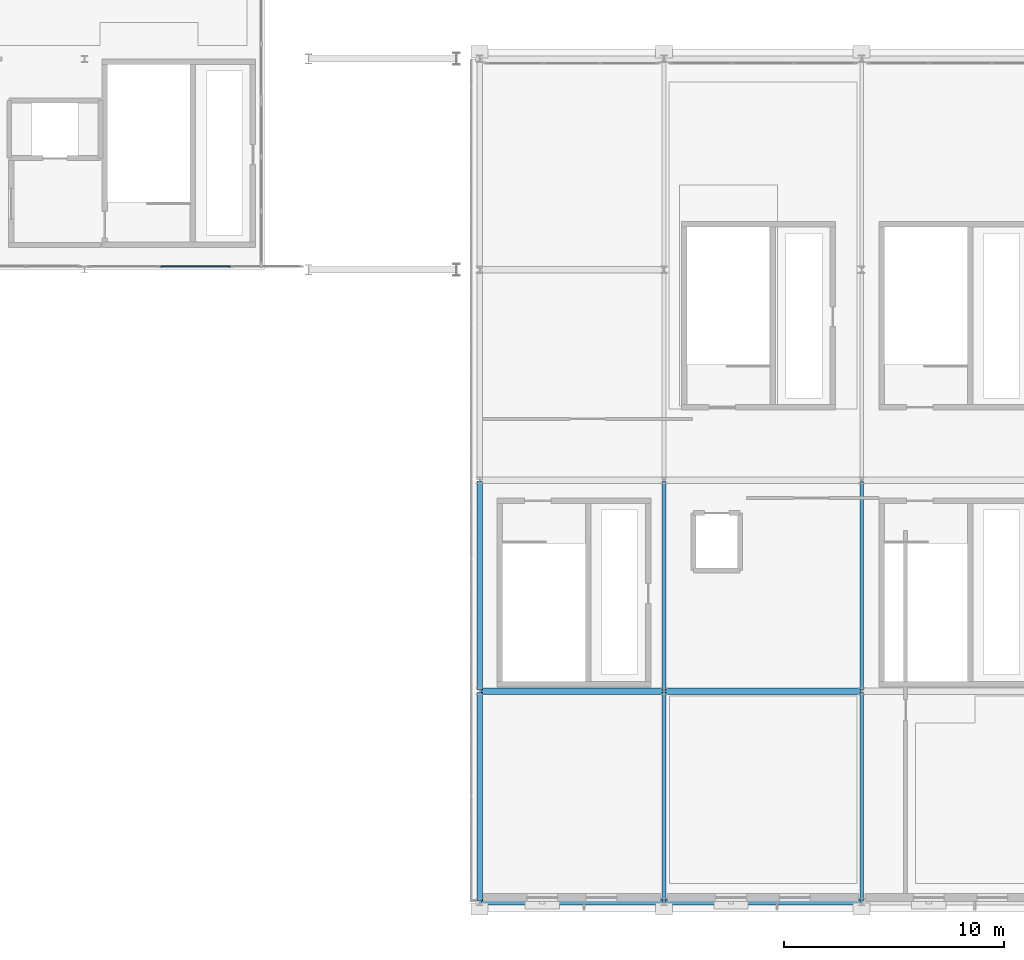
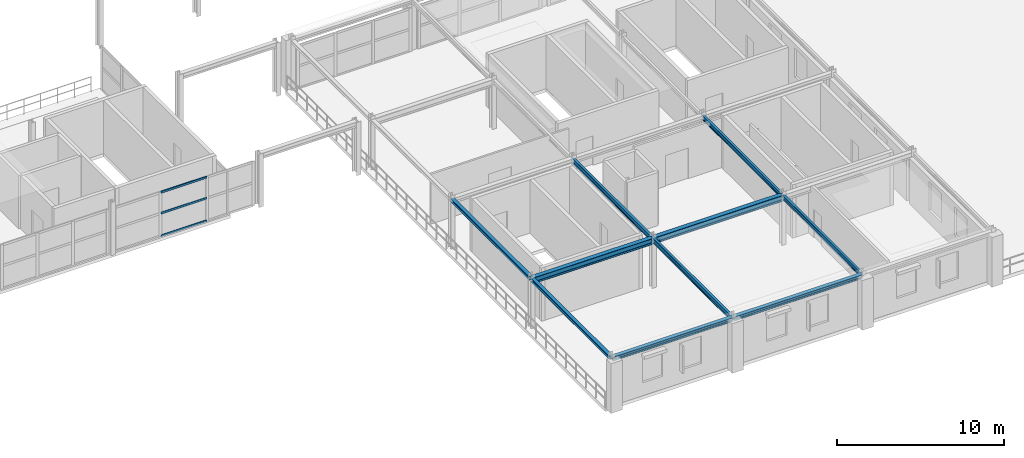
# One storey, part 15 of 52: 10 beams, 3 members, 1 element without a shape of its own.
"""IFC4 building model written with IfcOpenShell, lengths in metres."""

from ifc_helpers import new_model, si_unit, direction, frame, origin, origin_2d, place, context, subcontext, project, spatial, rectangle, i_section, extrude, material, layer, layer_set, material_profile, profile_set, type_object, element, aggregate, save


model = new_model("IFC4")

# Units and contexts
model_context = context("Model", 3, precision=1e-05, world=origin(), true_north=direction((0.0, 1.0)))
body_context = subcontext(model_context, "Body", "Model", "MODEL_VIEW")
ifc_project = project(units=[si_unit("LENGTHUNIT", "METRE"), si_unit("AREAUNIT", "SQUARE_METRE"), si_unit("VOLUMEUNIT", "CUBIC_METRE"), si_unit("PLANEANGLEUNIT", "RADIAN"), si_unit("MASSUNIT", "GRAM", prefix="KILO")], contexts=[model_context])

# Site, building, storey
site_placement = place(None, origin())
site = spatial("IfcSite", under=ifc_project, at=site_placement, CompositionType="ELEMENT")
building_placement = place(site_placement, origin())
building = spatial("IfcBuilding", under=site, at=building_placement, Name="Myrtia Square Station", CompositionType="ELEMENT")
storey_placement = place(building_placement, frame((0.0, 0.0, 15.0)))
storey = spatial("IfcBuildingStorey", under=building, at=storey_placement, Name="L03", CompositionType="ELEMENT", Elevation=15.0)

# Beams
ifc_material_1 = material(Name="Steel S355", Category="steel")
ifc_material_profile_1 = material_profile(ifc_material_1, i_section(OverallWidth=0.300048828125, OverallDepth=0.43994140625, WebThickness=0.011474609375, FlangeThickness=0.02099609375, FilletRadius=0.027099609375, at=origin_2d()), Name="HEA 450")
ifc_profile_set_1 = profile_set([ifc_material_profile_1], Name="Steel S355")
beam_type_1 = type_object("IfcBeamType", Name="BM-HEA450", PredefinedType="BEAM", material=ifc_profile_set_1)
beam_1_placement = place(storey_placement, frame((117.64990234375, 9.60009765625, 3.43505859375), z_axis=(1.0, 0.0, 0.0), x_axis=(0.0, 1.0, 0.0)))
element("IfcBeam", 1, at=beam_1_placement, inside=storey, type_object=beam_type_1, Name="Structural girder BMX-L03-0807", PredefinedType="BEAM", context=body_context, shape_type="SweptSolid", body=[
    extrude(i_section(OverallWidth=0.300048828125, OverallDepth=0.43994140625, WebThickness=0.011474609375, FlangeThickness=0.02099609375, FilletRadius=0.027099609375, at=origin_2d()), origin(), (0.0, 0.0, 1.0), 8.300048828125),
])
beam_2_placement = place(storey_placement, frame((126.050048828125, 9.60009765625, 3.43505859375), z_axis=(1.0, 0.0, 0.0), x_axis=(0.0, 1.0, 0.0)))
element("IfcBeam", 2, at=beam_2_placement, inside=storey, type_object=beam_type_1, Name="Structural girder BMX-L03-0808", PredefinedType="BEAM", context=body_context, shape_type="SweptSolid", body=[
    extrude(i_section(OverallWidth=0.300048828125, OverallDepth=0.43994140625, WebThickness=0.011474609375, FlangeThickness=0.02099609375, FilletRadius=0.027099609375, at=origin_2d()), origin(), (0.0, 0.0, 1.0), 8.89990234375),
])
ifc_material_profile_2 = material_profile(ifc_material_1, i_section(OverallWidth=0.159912109375, OverallDepth=0.330078125, WebThickness=0.007568359375, FlangeThickness=0.011474609375, FilletRadius=0.01806640625, at=origin_2d()), Name="IPE 330")
ifc_profile_set_2 = profile_set([ifc_material_profile_2], Name="Steel S355")
beam_type_2 = type_object("IfcBeamType", Name="BM-IPE330", PredefinedType="BEAM", material=ifc_profile_set_2)
for number, where, z_axis, x_axis, name in (
    (3, (135.0, 0.050048828125, 3.489990234375), (0.0, 1.0, 0.0), (-1.0, 0.0, 0.0), "Structural girder BMY-L03-0818"),
    (4, (135.0, 9.64990234375, 3.489990234375), (0.0, 1.0, 0.0), (-1.0, 0.0, 0.0), "Structural girder BMY-L03-0819"),
):
    element("IfcBeam", number, at=place(storey_placement, frame(where, z_axis=z_axis, x_axis=x_axis)), inside=storey, type_object=beam_type_2, Name=name, PredefinedType="BEAM", context=body_context, shape_type="SweptSolid", body=[
        extrude(i_section(OverallWidth=0.159912109375, OverallDepth=0.330078125, WebThickness=0.007568359375, FlangeThickness=0.011474609375, FilletRadius=0.01806640625, at=origin_2d()), origin(), (0.0, 0.0, 1.0), 9.5),
    ])
ifc_material_profile_3 = material_profile(ifc_material_1, i_section(OverallWidth=0.169921875, OverallDepth=0.360107421875, WebThickness=0.008056640625, FlangeThickness=0.0126953125, FilletRadius=0.01806640625, at=origin_2d()), Name="IPE 360")
ifc_profile_set_3 = profile_set([ifc_material_profile_3], Name="Steel S355")
beam_type_3 = type_object("IfcBeamType", Name="BM-IPE360", PredefinedType="BEAM", material=ifc_profile_set_3)
for number, where, z_axis, x_axis, name in (
    (5, (126.0, 0.050048828125, 3.47509765625), (0.0, 1.0, 0.0), (-1.0, 0.0, 0.0), "Structural girder BMY-L03-0814"),
    (6, (126.0, 9.64990234375, 3.47509765625), (0.0, 1.0, 0.0), (-1.0, 0.0, 0.0), "Structural girder BMY-L03-0815"),
):
    element("IfcBeam", number, at=place(storey_placement, frame(where, z_axis=z_axis, x_axis=x_axis)), inside=storey, type_object=beam_type_3, Name=name, PredefinedType="BEAM", context=body_context, shape_type="SweptSolid", body=[
        extrude(i_section(OverallWidth=0.169921875, OverallDepth=0.360107421875, WebThickness=0.008056640625, FlangeThickness=0.0126953125, FilletRadius=0.01806640625, at=origin_2d()), origin(), (0.0, 0.0, 1.0), 9.5),
    ])

# Curtain wall, members
ifc_material_2 = material(Name="Dark bronze anodised aluminium", Category="aluminium")
ifc_layer = layer(ifc_material_2, 0.159912109375, Name="Dark bronze anodised aluminium")
ifc_layer_set = layer_set([ifc_layer], Name="Dark bronze anodised aluminium")
curtain_wall_type = type_object("IfcCurtainWallType", Name="CW-TYPE-17-970x325", PredefinedType="USERDEFINED", material=ifc_layer_set)
curtain_wall_placement = place(storey_placement, origin())
curtain_wall = element("IfcCurtainWall", 7, at=curtain_wall_placement, inside=storey, type_object=curtain_wall_type, Name="Concourse curtain wall CW-L03-057", ObjectType="CONCOURSE CURTAIN WALL", PredefinedType="USERDEFINED")
ifc_material_profile_4 = material_profile(ifc_material_2, rectangle(XDim=0.06494140625, YDim=0.14990234375, at=origin_2d()), Name="ALU-T 65x150")
ifc_profile_set_4 = profile_set([ifc_material_profile_4], Name="Dark bronze anodised aluminium")
member_type = type_object("IfcMemberType", Name="CWT-65x150", PredefinedType="USERDEFINED", material=ifc_profile_set_4)
member_1_placement = place(storey_placement, frame((103.06591796875, 28.949951171875, 0.032470703125), z_axis=(1.0, 0.0, 0.0), x_axis=(0.0, 1.0, 0.0)))
member_1 = element("IfcMember", 8, at=member_1_placement, type_object=member_type, Name="CW-057 transom 2.1", ObjectType="TRANSOM", PredefinedType="USERDEFINED", context=body_context, shape_type="SweptSolid", body=[
    extrude(rectangle(XDim=0.06494140625, YDim=0.14990234375, at=origin_2d()), origin(), (0.0, 0.0, 1.0), 3.168212890625),
])
member_2_placement = place(storey_placement, frame((103.06591796875, 28.949951171875, 1.68994140625), z_axis=(1.0, 0.0, 0.0), x_axis=(0.0, 1.0, 0.0)))
member_2 = element("IfcMember", 9, at=member_2_placement, type_object=member_type, Name="CW-057 transom 2.2", ObjectType="TRANSOM", PredefinedType="USERDEFINED", context=body_context, shape_type="SweptSolid", body=[
    extrude(rectangle(XDim=0.06494140625, YDim=0.14990234375, at=origin_2d()), origin(), (0.0, 0.0, 1.0), 3.168212890625),
])
member_3_placement = place(storey_placement, frame((103.06591796875, 28.949951171875, 3.217529296875), z_axis=(1.0, 0.0, 0.0), x_axis=(0.0, 1.0, 0.0)))
member_3 = element("IfcMember", 10, at=member_3_placement, type_object=member_type, Name="CW-057 transom 2.3", ObjectType="TRANSOM", PredefinedType="USERDEFINED", context=body_context, shape_type="SweptSolid", body=[
    extrude(rectangle(XDim=0.06494140625, YDim=0.14990234375, at=origin_2d()), origin(), (0.0, 0.0, 1.0), 3.168212890625),
])
aggregate(curtain_wall, [member_1, member_2, member_3])

# Beams
ifc_material_profile_5 = material_profile(ifc_material_1, i_section(OverallWidth=0.239990234375, OverallDepth=0.239990234375, WebThickness=0.010009765625, FlangeThickness=0.01708984375, FilletRadius=0.02099609375, at=origin_2d()), Name="HEB 240")
ifc_profile_set_5 = profile_set([ifc_material_profile_5], Name="Steel S355")
beam_type_4 = type_object("IfcBeamType", Name="SPN-HEB240", PredefinedType="SPANDREL", material=ifc_profile_set_5)
for number, where, z_axis, x_axis, name in (
    (11, (117.60009765625, 0.050048828125, 3.534912109375), (0.0, 1.0, 0.0), (-1.0, 0.0, 0.0), "Structural girder SPNY-L03-0231"),
    (12, (117.60009765625, 9.64990234375, 3.534912109375), (0.0, 1.0, 0.0), (-1.0, 0.0, 0.0), "Structural girder SPNY-L03-0232"),
):
    element("IfcBeam", number, at=place(storey_placement, frame(where, z_axis=z_axis, x_axis=x_axis)), inside=storey, type_object=beam_type_4, Name=name, PredefinedType="SPANDREL", context=body_context, shape_type="SweptSolid", body=[
        extrude(i_section(OverallWidth=0.239990234375, OverallDepth=0.239990234375, WebThickness=0.010009765625, FlangeThickness=0.01708984375, FilletRadius=0.02099609375, at=origin_2d()), origin(), (0.0, 0.0, 1.0), 9.5),
    ])
ifc_material_profile_6 = material_profile(ifc_material_1, i_section(OverallWidth=0.280029296875, OverallDepth=0.280029296875, WebThickness=0.010498046875, FlangeThickness=0.01806640625, FilletRadius=0.02392578125, at=origin_2d()), Name="HEB 280")
ifc_profile_set_6 = profile_set([ifc_material_profile_6], Name="Steel S355")
beam_type_5 = type_object("IfcBeamType", Name="SPN-HEB280", PredefinedType="SPANDREL", material=ifc_profile_set_6)
beam_3_placement = place(storey_placement, frame((117.64990234375, 0.0, 3.514892578125), z_axis=(1.0, 0.0, 0.0), x_axis=(0.0, 1.0, 0.0)))
element("IfcBeam", 13, at=beam_3_placement, inside=storey, type_object=beam_type_5, Name="Structural girder SPN-L03-0225", PredefinedType="SPANDREL", context=body_context, shape_type="SweptSolid", body=[
    extrude(i_section(OverallWidth=0.280029296875, OverallDepth=0.280029296875, WebThickness=0.010498046875, FlangeThickness=0.01806640625, FilletRadius=0.02392578125, at=origin_2d()), origin(), (0.0, 0.0, 1.0), 8.300048828125),
])
beam_4_placement = place(storey_placement, frame((126.050048828125, 0.0, 3.514892578125), z_axis=(1.0, 0.0, 0.0), x_axis=(0.0, 1.0, 0.0)))
element("IfcBeam", 14, at=beam_4_placement, inside=storey, type_object=beam_type_5, Name="Structural girder SPN-L03-0226", PredefinedType="SPANDREL", context=body_context, shape_type="SweptSolid", body=[
    extrude(i_section(OverallWidth=0.280029296875, OverallDepth=0.280029296875, WebThickness=0.010498046875, FlangeThickness=0.01806640625, FilletRadius=0.02392578125, at=origin_2d()), origin(), (0.0, 0.0, 1.0), 8.89990234375),
])

save(model, "model.ifc")
